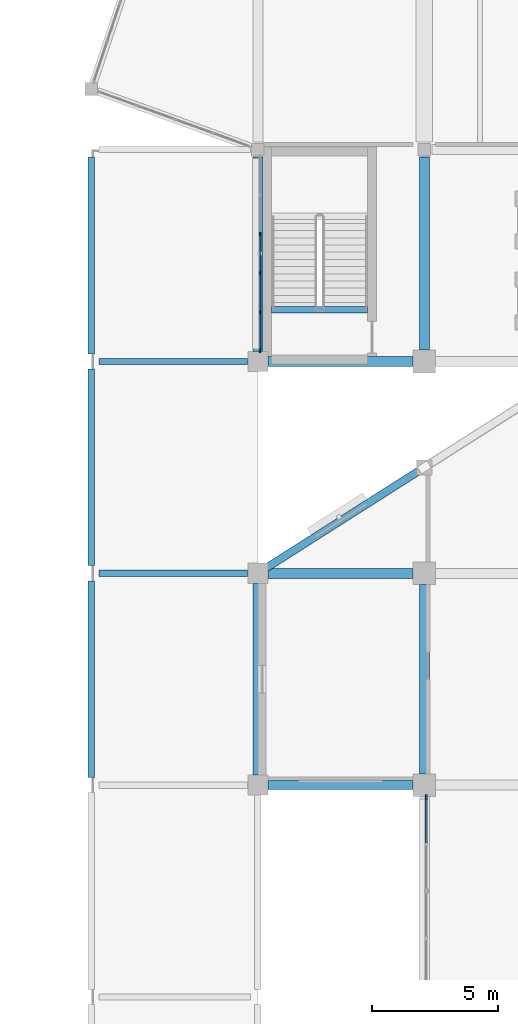
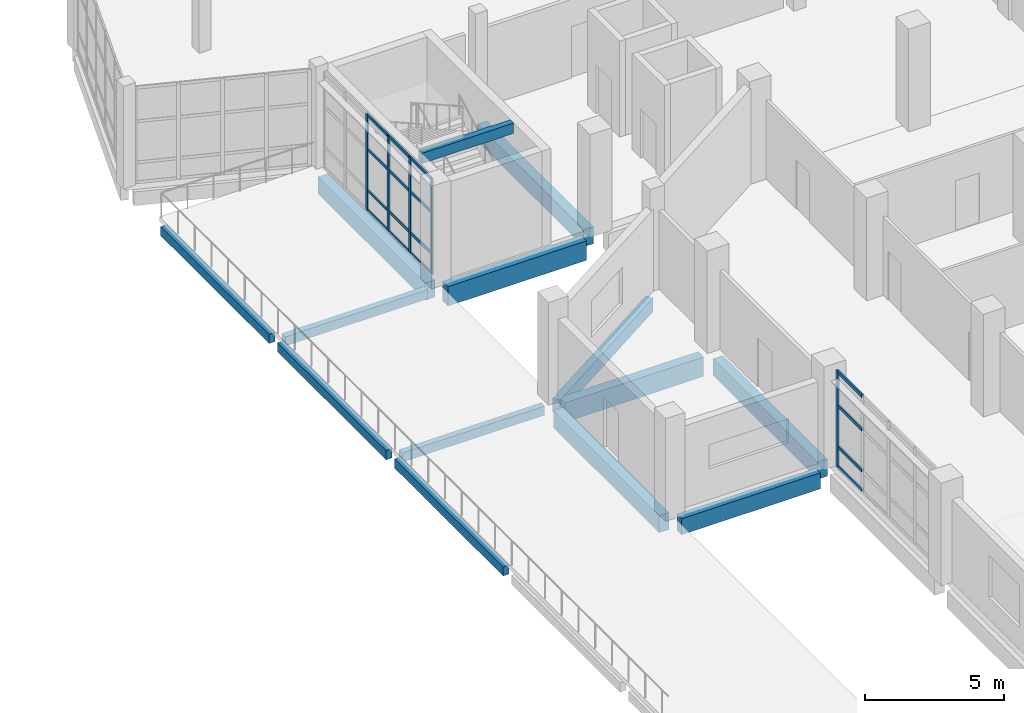
# One storey, part 23 of 83: 21 members, 14 beams, 2 elements without a shape of their own.
"""IFC4 building model written with IfcOpenShell, lengths in metres."""

from ifc_helpers import new_model, si_unit, direction, frame, origin, origin_2d, place, context, subcontext, project, spatial, rectangle, extrude, material, material_profile, profile_set, type_object, element, aggregate, save


model = new_model("IFC4")

# Units and contexts
model_context = context("Model", 3, precision=1e-05, world=origin(), true_north=direction((0.0, 1.0)))
body_context = subcontext(model_context, "Body", "Model", "MODEL_VIEW")
ifc_project = project(units=[si_unit("LENGTHUNIT", "METRE"), si_unit("AREAUNIT", "SQUARE_METRE"), si_unit("VOLUMEUNIT", "CUBIC_METRE"), si_unit("PLANEANGLEUNIT", "RADIAN"), si_unit("MASSUNIT", "GRAM", prefix="KILO")], contexts=[model_context])

# Site, building, storey
site_placement = place(None, origin())
site = spatial("IfcSite", under=ifc_project, at=site_placement, CompositionType="ELEMENT")
building_placement = place(site_placement, origin())
building = spatial("IfcBuilding", under=site, at=building_placement, Name="Qaldarim Faculty of Natural and Applied Sciences", CompositionType="ELEMENT")
storey_placement = place(building_placement, frame((0.0, 0.0, 5.39990234375)))
storey = spatial("IfcBuildingStorey", under=building, at=storey_placement, Name="L01", CompositionType="ELEMENT", Elevation=5.39990234375)

# Beams
ifc_material_1 = material(Name="Concrete C40/50", Category="concrete")
ifc_material_profile_1 = material_profile(ifc_material_1, rectangle(XDim=0.25, YDim=0.39990234375, at=origin_2d()), Name="RC-LN250x400")
ifc_profile_set_1 = profile_set([ifc_material_profile_1], Name="Concrete C40/50")
beam_type_1 = type_object("IfcBeamType", Name="ArcadeLintel-RC250x400", PredefinedType="LINTEL", material=ifc_profile_set_1)
for number, where, z_axis, x_axis, name in (
    (1, (145.5, 50.39990234375, -0.39990234375), (1.0, 0.0, 0.0), (0.0, 1.0, 0.0), "Beam RC-LN250x400 L00 X23-X24/Y07"),
    (2, (145.5, 58.800048828125, -0.39990234375), (1.0, 0.0, 0.0), (0.0, 1.0, 0.0), "Beam RC-LN250x400 L00 X23-X24/Y08"),
):
    element("IfcBeam", number, at=place(storey_placement, frame(where, z_axis=z_axis, x_axis=x_axis)), inside=storey, type_object=beam_type_1, Name=name, PredefinedType="LINTEL", context=body_context, shape_type="SweptSolid", body=[
        extrude(rectangle(XDim=0.25, YDim=0.39990234375, at=origin_2d()), origin(), (0.0, 0.0, 1.0), 5.89990234375),
    ])
for number, where, z_axis, x_axis, name in (
    (3, (145.199951171875, 42.300048828125, -0.39990234375), (0.0, 1.0, 0.0), (-1.0, 0.0, 0.0), "Beam RC-LN250x400 L00 X23/Y06-Y07"),
    (4, (145.199951171875, 50.699951171875, -0.39990234375), (0.0, 1.0, 0.0), (-1.0, 0.0, 0.0), "Beam RC-LN250x400 L00 X23/Y07-Y08"),
):
    element("IfcBeam", number, at=place(storey_placement, frame(where, z_axis=z_axis, x_axis=x_axis)), inside=storey, type_object=beam_type_1, Name=name, PredefinedType="LINTEL", context=body_context, shape_type="SweptSolid", body=[
        extrude(rectangle(XDim=0.25, YDim=0.39990234375, at=origin_2d()), origin(), (0.0, 0.0, 1.0), 7.800048828125),
    ])
beam_1_placement = place(storey_placement, frame((145.199951171875, 59.10009765625, -0.39990234375), z_axis=(0.0, 1.0, 0.0), x_axis=(-1.0, 0.0, 0.0)))
element("IfcBeam", 5, at=beam_1_placement, inside=storey, type_object=beam_type_1, Name="Beam RC-LN250x400 L00 X23/Y08-Y09", PredefinedType="LINTEL", context=body_context, shape_type="SweptSolid", body=[
    extrude(rectangle(XDim=0.25, YDim=0.39990234375, at=origin_2d()), origin(), (0.0, 0.0, 1.0), 7.7998046875),
])
ifc_material_2 = material(Name="Concrete C50/60", Category="concrete")
ifc_material_profile_2 = material_profile(ifc_material_2, rectangle(XDim=0.39990234375, YDim=0.75, at=origin_2d()), Name="RC-B400x750")
ifc_profile_set_2 = profile_set([ifc_material_profile_2], Name="Concrete C50/60")
beam_type_2 = type_object("IfcBeamType", Name="LabGirder-RC400x750", PredefinedType="BEAM", material=ifc_profile_set_2)
beam_2_placement = place(storey_placement, frame((151.800048828125, 42.39990234375, -0.6748046875), z_axis=(0.0, 1.0, 0.0), x_axis=(-1.0, 0.0, 0.0)))
element("IfcBeam", 6, at=beam_2_placement, inside=storey, type_object=beam_type_2, Name="Beam RC-B400x750 L00 X24/Y06-Y07", PredefinedType="BEAM", context=body_context, shape_type="SweptSolid", body=[
    extrude(rectangle(XDim=0.39990234375, YDim=0.75, at=origin_2d()), origin(), (0.0, 0.0, 1.0), 7.60009765625),
])
beam_3_placement = place(storey_placement, frame((151.800048828125, 59.199951171875, -0.6748046875), z_axis=(0.0, 1.0, 0.0), x_axis=(-1.0, 0.0, 0.0)))
element("IfcBeam", 7, at=beam_3_placement, inside=storey, type_object=beam_type_2, Name="Beam RC-B400x750 L00 X24/Y08-Y09", PredefinedType="BEAM", context=body_context, shape_type="SweptSolid", body=[
    extrude(rectangle(XDim=0.39990234375, YDim=0.75, at=origin_2d()), origin(), (0.0, 0.0, 1.0), 7.699951171875),
])
beam_4_placement = place(storey_placement, frame((158.39990234375, 42.449951171875, -0.6748046875), z_axis=(0.0, 1.0, 0.0), x_axis=(-1.0, 0.0, 0.0)))
element("IfcBeam", 8, at=beam_4_placement, inside=storey, type_object=beam_type_2, Name="Beam RC-B400x750 L00 X25/Y06-Y07", PredefinedType="BEAM", context=body_context, shape_type="SweptSolid", body=[
    extrude(rectangle(XDim=0.39990234375, YDim=0.75, at=origin_2d()), origin(), (0.0, 0.0, 1.0), 7.5),
])
beam_5_placement = place(storey_placement, frame((158.39990234375, 59.25, -0.6748046875), z_axis=(0.0, 1.0, 0.0), x_axis=(-1.0, 0.0, 0.0)))
element("IfcBeam", 9, at=beam_5_placement, inside=storey, type_object=beam_type_2, Name="Beam RC-B400x750 L00 X25/Y08-Y09", PredefinedType="BEAM", context=body_context, shape_type="SweptSolid", body=[
    extrude(rectangle(XDim=0.39990234375, YDim=0.75, at=origin_2d()), origin(), (0.0, 0.0, 1.0), 7.64990234375),
])
ifc_material_profile_3 = material_profile(ifc_material_1, rectangle(XDim=0.25, YDim=0.449951171875, at=origin_2d()), Name="RC-LN250x450")
ifc_profile_set_3 = profile_set([ifc_material_profile_3], Name="Concrete C40/50")
beam_type_3 = type_object("IfcBeamType", Name="LandingSupportBeam-RC250x450", PredefinedType="BEAM", material=ifc_profile_set_3)
beam_6_placement = place(storey_placement, frame((152.35009765625, 60.85009765625, 3.97509765625), z_axis=(1.0, 0.0, 0.0), x_axis=(0.0, 1.0, 0.0)))
element("IfcBeam", 10, at=beam_6_placement, inside=storey, type_object=beam_type_3, Name="Stair arrival support beam ST-C1 L01", PredefinedType="BEAM", context=body_context, shape_type="SweptSolid", body=[
    extrude(rectangle(XDim=0.25, YDim=0.449951171875, at=origin_2d()), origin(), (0.0, 0.0, 1.0), 3.7998046875),
])

# Curtain wall, members
ifc_material_3 = material(Name="Anodised aluminium AW-6063", Category="aluminium")
curtain_wall_type_1 = type_object("IfcCurtainWallType", Name="CurtainWallSystem-M1600", PredefinedType="USERDEFINED", material=ifc_material_3)
curtain_wall_1_placement = place(storey_placement, origin())
curtain_wall_1 = element("IfcCurtainWall", 11, at=curtain_wall_1_placement, inside=storey, type_object=curtain_wall_type_1, Name="Curtain wall CW-L01-W-X24Y08", ObjectType="UNITISED FACADE", PredefinedType="USERDEFINED")
ifc_material_profile_4 = material_profile(ifc_material_3, rectangle(XDim=0.06005859375, YDim=0.14990234375, at=origin_2d()), Name="ALU-M60x150")
ifc_profile_set_4 = profile_set([ifc_material_profile_4], Name="Anodised aluminium AW-6063")
member_type_1 = type_object("IfcMemberType", Name="Mullion-ALU60x150", PredefinedType="MULLION", material=ifc_profile_set_4)
member_1_placement = place(storey_placement, frame((151.8798828125, 63.85107421875, 0.0), z_axis=(0.0, 0.0, 1.0), x_axis=(1.0, 0.0, 0.0)))
member_1 = element("IfcMember", 12, at=member_1_placement, type_object=member_type_1, Name="Mullion 3 of CW-L01-W-X24Y08", PredefinedType="MULLION", context=body_context, shape_type="SweptSolid", body=[
    extrude(rectangle(XDim=0.06005859375, YDim=0.14990234375, at=origin_2d()), origin(), (0.0, 0.0, 1.0), 4.2001953125),
])
member_2_placement = place(storey_placement, frame((151.8798828125, 62.299072265625, 0.0), z_axis=(0.0, 0.0, 1.0), x_axis=(1.0, 0.0, 0.0)))
member_2 = element("IfcMember", 13, at=member_2_placement, type_object=member_type_1, Name="Mullion 4 of CW-L01-W-X24Y08", PredefinedType="MULLION", context=body_context, shape_type="SweptSolid", body=[
    extrude(rectangle(XDim=0.06005859375, YDim=0.14990234375, at=origin_2d()), origin(), (0.0, 0.0, 1.0), 4.2001953125),
])
member_3_placement = place(storey_placement, frame((151.8798828125, 60.7470703125, 0.0), z_axis=(0.0, 0.0, 1.0), x_axis=(1.0, 0.0, 0.0)))
member_3 = element("IfcMember", 14, at=member_3_placement, type_object=member_type_1, Name="Mullion 5 of CW-L01-W-X24Y08", PredefinedType="MULLION", context=body_context, shape_type="SweptSolid", body=[
    extrude(rectangle(XDim=0.06005859375, YDim=0.14990234375, at=origin_2d()), origin(), (0.0, 0.0, 1.0), 4.2001953125),
])
member_4_placement = place(storey_placement, frame((151.8798828125, 59.22509765625, 0.0), z_axis=(0.0, 0.0, 1.0), x_axis=(1.0, 0.0, 0.0)))
member_4 = element("IfcMember", 15, at=member_4_placement, type_object=member_type_1, Name="Mullion 6 of CW-L01-W-X24Y08", PredefinedType="MULLION", context=body_context, shape_type="SweptSolid", body=[
    extrude(rectangle(XDim=0.06005859375, YDim=0.14990234375, at=origin_2d()), origin(), (0.0, 0.0, 1.0), 4.2001953125),
])

# Curtain wall, member
curtain_wall_type_2 = type_object("IfcCurtainWallType", Name="CurtainWallSystem-M1700", PredefinedType="USERDEFINED", material=ifc_material_3)
curtain_wall_2_placement = place(storey_placement, origin())
curtain_wall_2 = element("IfcCurtainWall", 16, at=curtain_wall_2_placement, inside=storey, type_object=curtain_wall_type_2, Name="Curtain wall CW-L01-W-X25Y05", ObjectType="UNITISED FACADE", PredefinedType="USERDEFINED")
ifc_material_profile_5 = material_profile(ifc_material_3, rectangle(XDim=0.070068359375, YDim=0.179931640625, at=origin_2d()), Name="ALU-M70x180")
ifc_profile_set_5 = profile_set([ifc_material_profile_5], Name="Anodised aluminium AW-6063")
member_type_2 = type_object("IfcMemberType", Name="Mullion-ALU70x180", PredefinedType="MULLION", material=ifc_profile_set_5)
member_5_placement = place(storey_placement, frame((158.47998046875, 41.52001953125, 0.0), z_axis=(0.0, 0.0, 1.0), x_axis=(1.0, 0.0, 0.0)))
member_5 = element("IfcMember", 17, at=member_5_placement, type_object=member_type_2, Name="Mullion 1 of CW-L01-W-X25Y05", PredefinedType="MULLION", context=body_context, shape_type="SweptSolid", body=[
    extrude(rectangle(XDim=0.070068359375, YDim=0.179931640625, at=origin_2d()), origin(), (0.0, 0.0, 1.0), 4.2001953125),
])

# Beams
ifc_material_profile_6 = material_profile(ifc_material_2, rectangle(XDim=0.39990234375, YDim=0.85009765625, at=origin_2d()), Name="RC-B400x850")
ifc_profile_set_6 = profile_set([ifc_material_profile_6], Name="Concrete C50/60")
beam_type_4 = type_object("IfcBeamType", Name="PodiumGirder-RC400x850", PredefinedType="BEAM", material=ifc_profile_set_6)
for number, where, z_axis, x_axis, name in (
    (18, (152.199951171875, 50.39990234375, -0.724853515625), (1.0, 0.0, 0.0), (0.0, 1.0, 0.0), "Beam RC-B400x850 L00 X24-X25/Y07"),
    (19, (152.199951171875, 58.800048828125, -0.724853515625), (1.0, 0.0, 0.0), (0.0, 1.0, 0.0), "Beam RC-B400x850 L00 X24-X25/Y08"),
):
    element("IfcBeam", number, at=place(storey_placement, frame(where, z_axis=z_axis, x_axis=x_axis)), inside=storey, type_object=beam_type_4, Name=name, PredefinedType="BEAM", context=body_context, shape_type="SweptSolid", body=[
        extrude(rectangle(XDim=0.39990234375, YDim=0.85009765625, at=origin_2d()), origin(), (0.0, 0.0, 1.0), 5.75),
    ])
ifc_material_profile_7 = material_profile(ifc_material_1, rectangle(XDim=0.35009765625, YDim=0.699951171875, at=origin_2d()), Name="RC-B350x700")
ifc_profile_set_7 = profile_set([ifc_material_profile_7], Name="Concrete C40/50")
beam_type_5 = type_object("IfcBeamType", Name="PrimaryGirder-RC350x700", PredefinedType="BEAM", material=ifc_profile_set_7)
beam_7_placement = place(storey_placement, frame((152.199951171875, 42.0, -0.64990234375), z_axis=(1.0, 0.0, 0.0), x_axis=(0.0, 1.0, 0.0)))
element("IfcBeam", 20, at=beam_7_placement, inside=storey, type_object=beam_type_5, Name="Beam RC-B350x700 L00 X24-X25/Y06", PredefinedType="BEAM", context=body_context, shape_type="SweptSolid", body=[
    extrude(rectangle(XDim=0.35009765625, YDim=0.699951171875, at=origin_2d()), origin(), (0.0, 0.0, 1.0), 5.75),
])
ifc_material_4 = material(Name="Precast concrete C40/50", Category="concrete")
ifc_material_profile_8 = material_profile(ifc_material_4, rectangle(XDim=0.300048828125, YDim=0.60009765625, at=origin_2d()), Name="RC-SP300x600")
ifc_profile_set_8 = profile_set([ifc_material_profile_8], Name="Precast concrete C40/50")
beam_type_6 = type_object("IfcBeamType", Name="SpandrelBeam-RC300x600", PredefinedType="SPANDREL", material=ifc_profile_set_8)
beam_8_placement = place(storey_placement, frame((152.050048828125, 50.56005859375, -0.599853515625), z_axis=(0.843776886751, 0.536694107835, 0.0), x_axis=(-0.536694107835, 0.843776886751, 0.0)))
element("IfcBeam", 21, at=beam_8_placement, inside=storey, type_object=beam_type_6, Name="Oblique NW chamfer spandrel L00 1", PredefinedType="SPANDREL", context=body_context, shape_type="SweptSolid", body=[
    extrude(rectangle(XDim=0.300048828125, YDim=0.60009765625, at=origin_2d()), origin(), (0.0, 0.0, 1.0), 7.229248046875),
])

# Member
ifc_material_profile_9 = material_profile(ifc_material_3, rectangle(XDim=0.06005859375, YDim=0.1201171875, at=origin_2d()), Name="ALU-T60x120")
ifc_profile_set_9 = profile_set([ifc_material_profile_9], Name="Anodised aluminium AW-6063")
member_type_3 = type_object("IfcMemberType", Name="Transom-ALU60x120", PredefinedType="USERDEFINED", material=ifc_profile_set_9)
member_6_placement = place(storey_placement, frame((151.8798828125, 63.821044921875, 0.030029296875), z_axis=(0.0, -1.0, 0.0), x_axis=(1.0, 0.0, 0.0)))
member_6 = element("IfcMember", 22, at=member_6_placement, type_object=member_type_3, Name="Transom 3-1 of CW-L01-W-X24Y08", ObjectType="TRANSOM", PredefinedType="USERDEFINED", context=body_context, shape_type="SweptSolid", body=[
    extrude(rectangle(XDim=0.06005859375, YDim=0.1201171875, at=origin_2d()), origin(), (0.0, 0.0, 1.0), 1.491943359375),
])

member_7_placement = place(storey_placement, frame((151.8798828125, 63.821044921875, 0.900146484375), z_axis=(0.0, -1.0, 0.0), x_axis=(1.0, 0.0, 0.0)))
member_7 = element("IfcMember", 23, at=member_7_placement, type_object=member_type_3, Name="Transom 3-2 of CW-L01-W-X24Y08", ObjectType="TRANSOM", PredefinedType="USERDEFINED", context=body_context, shape_type="SweptSolid", body=[
    extrude(rectangle(XDim=0.06005859375, YDim=0.1201171875, at=origin_2d()), origin(), (0.0, 0.0, 1.0), 1.491943359375),
])

member_8_placement = place(storey_placement, frame((151.8798828125, 63.821044921875, 2.7001953125), z_axis=(0.0, -1.0, 0.0), x_axis=(1.0, 0.0, 0.0)))
member_8 = element("IfcMember", 24, at=member_8_placement, type_object=member_type_3, Name="Transom 3-3 of CW-L01-W-X24Y08", ObjectType="TRANSOM", PredefinedType="USERDEFINED", context=body_context, shape_type="SweptSolid", body=[
    extrude(rectangle(XDim=0.06005859375, YDim=0.1201171875, at=origin_2d()), origin(), (0.0, 0.0, 1.0), 1.491943359375),
])

member_9_placement = place(storey_placement, frame((151.8798828125, 63.821044921875, 4.170166015625), z_axis=(0.0, -1.0, 0.0), x_axis=(1.0, 0.0, 0.0)))
member_9 = element("IfcMember", 25, at=member_9_placement, type_object=member_type_3, Name="Transom 3-4 of CW-L01-W-X24Y08", ObjectType="TRANSOM", PredefinedType="USERDEFINED", context=body_context, shape_type="SweptSolid", body=[
    extrude(rectangle(XDim=0.06005859375, YDim=0.1201171875, at=origin_2d()), origin(), (0.0, 0.0, 1.0), 1.491943359375),
])

member_10_placement = place(storey_placement, frame((151.8798828125, 62.26904296875, 0.030029296875), z_axis=(0.0, -1.0, 0.0), x_axis=(1.0, 0.0, 0.0)))
member_10 = element("IfcMember", 26, at=member_10_placement, type_object=member_type_3, Name="Transom 4-1 of CW-L01-W-X24Y08", ObjectType="TRANSOM", PredefinedType="USERDEFINED", context=body_context, shape_type="SweptSolid", body=[
    extrude(rectangle(XDim=0.06005859375, YDim=0.1201171875, at=origin_2d()), origin(), (0.0, 0.0, 1.0), 1.491943359375),
])

member_11_placement = place(storey_placement, frame((151.8798828125, 62.26904296875, 0.900146484375), z_axis=(0.0, -1.0, 0.0), x_axis=(1.0, 0.0, 0.0)))
member_11 = element("IfcMember", 27, at=member_11_placement, type_object=member_type_3, Name="Transom 4-2 of CW-L01-W-X24Y08", ObjectType="TRANSOM", PredefinedType="USERDEFINED", context=body_context, shape_type="SweptSolid", body=[
    extrude(rectangle(XDim=0.06005859375, YDim=0.1201171875, at=origin_2d()), origin(), (0.0, 0.0, 1.0), 1.491943359375),
])

member_12_placement = place(storey_placement, frame((151.8798828125, 62.26904296875, 2.7001953125), z_axis=(0.0, -1.0, 0.0), x_axis=(1.0, 0.0, 0.0)))
member_12 = element("IfcMember", 28, at=member_12_placement, type_object=member_type_3, Name="Transom 4-3 of CW-L01-W-X24Y08", ObjectType="TRANSOM", PredefinedType="USERDEFINED", context=body_context, shape_type="SweptSolid", body=[
    extrude(rectangle(XDim=0.06005859375, YDim=0.1201171875, at=origin_2d()), origin(), (0.0, 0.0, 1.0), 1.491943359375),
])

member_13_placement = place(storey_placement, frame((151.8798828125, 62.26904296875, 4.170166015625), z_axis=(0.0, -1.0, 0.0), x_axis=(1.0, 0.0, 0.0)))
member_13 = element("IfcMember", 29, at=member_13_placement, type_object=member_type_3, Name="Transom 4-4 of CW-L01-W-X24Y08", ObjectType="TRANSOM", PredefinedType="USERDEFINED", context=body_context, shape_type="SweptSolid", body=[
    extrude(rectangle(XDim=0.06005859375, YDim=0.1201171875, at=origin_2d()), origin(), (0.0, 0.0, 1.0), 1.491943359375),
])

member_14_placement = place(storey_placement, frame((151.8798828125, 60.717041015625, 0.030029296875), z_axis=(0.0, -1.0, 0.0), x_axis=(1.0, 0.0, 0.0)))
member_14 = element("IfcMember", 30, at=member_14_placement, type_object=member_type_3, Name="Transom 5-1 of CW-L01-W-X24Y08", ObjectType="TRANSOM", PredefinedType="USERDEFINED", context=body_context, shape_type="SweptSolid", body=[
    extrude(rectangle(XDim=0.06005859375, YDim=0.1201171875, at=origin_2d()), origin(), (0.0, 0.0, 1.0), 1.462158203125),
])

member_15_placement = place(storey_placement, frame((151.8798828125, 60.717041015625, 0.900146484375), z_axis=(0.0, -1.0, 0.0), x_axis=(1.0, 0.0, 0.0)))
member_15 = element("IfcMember", 31, at=member_15_placement, type_object=member_type_3, Name="Transom 5-2 of CW-L01-W-X24Y08", ObjectType="TRANSOM", PredefinedType="USERDEFINED", context=body_context, shape_type="SweptSolid", body=[
    extrude(rectangle(XDim=0.06005859375, YDim=0.1201171875, at=origin_2d()), origin(), (0.0, 0.0, 1.0), 1.462158203125),
])

member_16_placement = place(storey_placement, frame((151.8798828125, 60.717041015625, 2.7001953125), z_axis=(0.0, -1.0, 0.0), x_axis=(1.0, 0.0, 0.0)))
member_16 = element("IfcMember", 32, at=member_16_placement, type_object=member_type_3, Name="Transom 5-3 of CW-L01-W-X24Y08", ObjectType="TRANSOM", PredefinedType="USERDEFINED", context=body_context, shape_type="SweptSolid", body=[
    extrude(rectangle(XDim=0.06005859375, YDim=0.1201171875, at=origin_2d()), origin(), (0.0, 0.0, 1.0), 1.462158203125),
])

member_17_placement = place(storey_placement, frame((151.8798828125, 60.717041015625, 4.170166015625), z_axis=(0.0, -1.0, 0.0), x_axis=(1.0, 0.0, 0.0)))
member_17 = element("IfcMember", 33, at=member_17_placement, type_object=member_type_3, Name="Transom 5-4 of CW-L01-W-X24Y08", ObjectType="TRANSOM", PredefinedType="USERDEFINED", context=body_context, shape_type="SweptSolid", body=[
    extrude(rectangle(XDim=0.06005859375, YDim=0.1201171875, at=origin_2d()), origin(), (0.0, 0.0, 1.0), 1.462158203125),
])

aggregate(curtain_wall_1, [member_1, member_2, member_3, member_4, member_6, member_7, member_8, member_9, member_10, member_11, member_12, member_13, member_14, member_15, member_16, member_17])

ifc_material_profile_10 = material_profile(ifc_material_3, rectangle(XDim=0.070068359375, YDim=0.139892578125, at=origin_2d()), Name="ALU-T70x140")
ifc_profile_set_10 = profile_set([ifc_material_profile_10], Name="Anodised aluminium AW-6063")
member_type_4 = type_object("IfcMemberType", Name="Transom-ALU70x140", PredefinedType="USERDEFINED", material=ifc_profile_set_10)
member_18_placement = place(storey_placement, frame((158.47998046875, 41.485107421875, 0.03515625), z_axis=(0.0, -1.0, 0.0), x_axis=(1.0, 0.0, 0.0)))
member_18 = element("IfcMember", 34, at=member_18_placement, type_object=member_type_4, Name="Transom 1-1 of CW-L01-W-X25Y05", ObjectType="TRANSOM", PredefinedType="USERDEFINED", context=body_context, shape_type="SweptSolid", body=[
    extrude(rectangle(XDim=0.070068359375, YDim=0.139892578125, at=origin_2d()), origin(), (0.0, 0.0, 1.0), 1.772705078125),
])

member_19_placement = place(storey_placement, frame((158.47998046875, 41.485107421875, 0.900146484375), z_axis=(0.0, -1.0, 0.0), x_axis=(1.0, 0.0, 0.0)))
member_19 = element("IfcMember", 35, at=member_19_placement, type_object=member_type_4, Name="Transom 1-2 of CW-L01-W-X25Y05", ObjectType="TRANSOM", PredefinedType="USERDEFINED", context=body_context, shape_type="SweptSolid", body=[
    extrude(rectangle(XDim=0.070068359375, YDim=0.139892578125, at=origin_2d()), origin(), (0.0, 0.0, 1.0), 1.772705078125),
])

member_20_placement = place(storey_placement, frame((158.47998046875, 41.485107421875, 2.7001953125), z_axis=(0.0, -1.0, 0.0), x_axis=(1.0, 0.0, 0.0)))
member_20 = element("IfcMember", 36, at=member_20_placement, type_object=member_type_4, Name="Transom 1-3 of CW-L01-W-X25Y05", ObjectType="TRANSOM", PredefinedType="USERDEFINED", context=body_context, shape_type="SweptSolid", body=[
    extrude(rectangle(XDim=0.070068359375, YDim=0.139892578125, at=origin_2d()), origin(), (0.0, 0.0, 1.0), 1.772705078125),
])

member_21_placement = place(storey_placement, frame((158.47998046875, 41.485107421875, 4.1650390625), z_axis=(0.0, -1.0, 0.0), x_axis=(1.0, 0.0, 0.0)))
member_21 = element("IfcMember", 37, at=member_21_placement, type_object=member_type_4, Name="Transom 1-4 of CW-L01-W-X25Y05", ObjectType="TRANSOM", PredefinedType="USERDEFINED", context=body_context, shape_type="SweptSolid", body=[
    extrude(rectangle(XDim=0.070068359375, YDim=0.139892578125, at=origin_2d()), origin(), (0.0, 0.0, 1.0), 1.772705078125),
])

aggregate(curtain_wall_2, [member_5, member_18, member_19, member_20, member_21])

save(model, "model.ifc")
